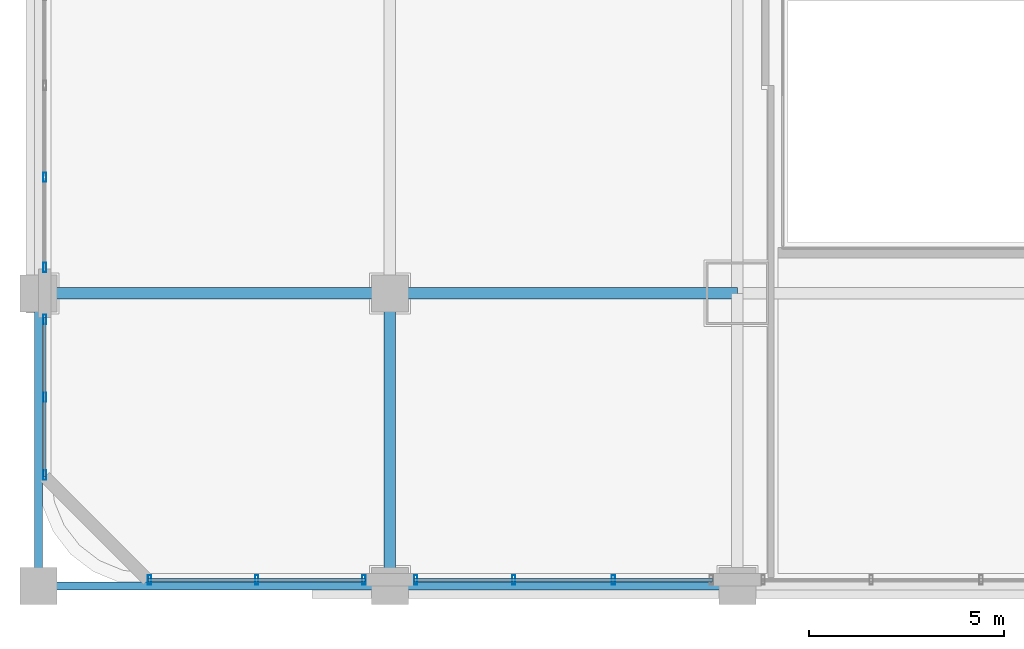
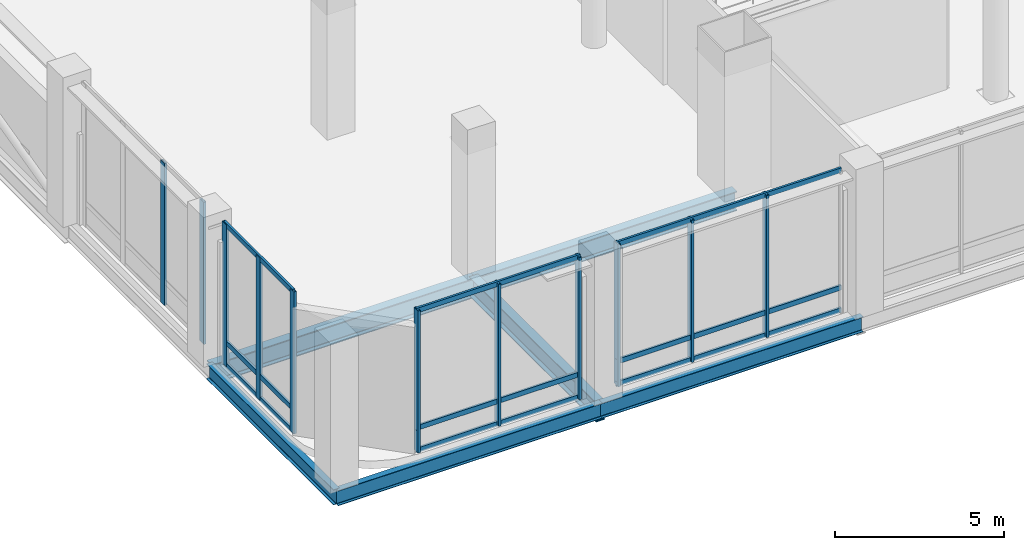
# One storey, part 2 of 39: 20 members, 6 beams, 4 elements without a shape of their own.
"""IFC4 building model written with IfcOpenShell, lengths in metres."""

from ifc_helpers import new_model, si_unit, direction, frame, origin, origin_2d, place, context, subcontext, project, spatial, hollow_rectangle, i_section, extrude, material, material_profile, profile_set, type_object, element, aggregate, save


model = new_model("IFC4")

# Units and contexts
model_context = context("Model", 3, precision=1e-05, world=origin(), true_north=direction((0.0, 1.0)))
body_context = subcontext(model_context, "Body", "Model", "MODEL_VIEW")
ifc_project = project(units=[si_unit("LENGTHUNIT", "METRE"), si_unit("AREAUNIT", "SQUARE_METRE"), si_unit("VOLUMEUNIT", "CUBIC_METRE"), si_unit("PLANEANGLEUNIT", "RADIAN"), si_unit("MASSUNIT", "GRAM", prefix="KILO")], contexts=[model_context])

# Site, building, storey
site_placement = place(None, origin())
site = spatial("IfcSite", under=ifc_project, at=site_placement, CompositionType="ELEMENT")
building_placement = place(site_placement, origin())
building = spatial("IfcBuilding", under=site, at=building_placement, Name="Punatoya Terracotta Tower", CompositionType="ELEMENT")
storey_placement = place(building_placement, frame((0.0, 0.0, 11.39990234375)))
storey = spatial("IfcBuildingStorey", under=building, at=storey_placement, Name="L02", CompositionType="ELEMENT", Elevation=11.39990234375)

# Beams
ifc_material_1 = material(Name="Steel S355", Category="steel")
ifc_material_profile_1 = material_profile(ifc_material_1, i_section(OverallWidth=0.300048828125, OverallDepth=0.699951171875, WebThickness=0.01708984375, FlangeThickness=0.031982421875, FilletRadius=0.01806640625, at=origin_2d()))
ifc_profile_set_1 = profile_set([ifc_material_profile_1], Name="Steel S355")
beam_type_1 = type_object("IfcBeamType", Name="BM-PRI-700", PredefinedType="BEAM", material=ifc_profile_set_1)
beam_1_placement = place(storey_placement, frame((-37.0, -17.5, -0.6298828125), z_axis=(1.0, 0.0, 0.0), x_axis=(0.0, 1.0, 0.0)))
element("IfcBeam", 1, at=beam_1_placement, inside=storey, type_object=beam_type_1, Name="BM-L02-BW1", PredefinedType="BEAM", context=body_context, shape_type="SweptSolid", body=[
    extrude(i_section(OverallWidth=0.300048828125, OverallDepth=0.699951171875, WebThickness=0.01708984375, FlangeThickness=0.031982421875, FilletRadius=0.01806640625, at=origin_2d()), origin(), (0.0, 0.0, 1.0), 9.0),
])
beam_2_placement = place(storey_placement, frame((-28.0, -17.5, -0.6298828125), z_axis=(1.0, 0.0, 0.0), x_axis=(0.0, 1.0, 0.0)))
element("IfcBeam", 2, at=beam_2_placement, inside=storey, type_object=beam_type_1, Name="BM-L02-BW2", PredefinedType="BEAM", context=body_context, shape_type="SweptSolid", body=[
    extrude(i_section(OverallWidth=0.300048828125, OverallDepth=0.699951171875, WebThickness=0.01708984375, FlangeThickness=0.031982421875, FilletRadius=0.01806640625, at=origin_2d()), origin(), (0.0, 0.0, 1.0), 8.89990234375),
])
beam_3_placement = place(storey_placement, frame((-28.0, -25.0, -0.6298828125), z_axis=(0.0, 1.0, 0.0), x_axis=(-1.0, 0.0, 0.0)))
element("IfcBeam", 3, at=beam_3_placement, inside=storey, type_object=beam_type_1, Name="BM-L02-X28W--25", PredefinedType="BEAM", context=body_context, shape_type="SweptSolid", body=[
    extrude(i_section(OverallWidth=0.300048828125, OverallDepth=0.699951171875, WebThickness=0.01708984375, FlangeThickness=0.031982421875, FilletRadius=0.01806640625, at=origin_2d()), origin(), (0.0, 0.0, 1.0), 7.5),
])
ifc_material_profile_2 = material_profile(ifc_material_1, i_section(OverallWidth=0.2099609375, OverallDepth=0.550048828125, WebThickness=0.010986328125, FlangeThickness=0.01708984375, FilletRadius=0.01806640625, at=origin_2d()))
ifc_profile_set_2 = profile_set([ifc_material_profile_2], Name="Steel S355")
beam_type_2 = type_object("IfcBeamType", Name="BM-SPN-550", PredefinedType="SPANDREL", material=ifc_profile_set_2)
beam_4_placement = place(storey_placement, frame((-37.0, -25.0, -0.554931640625), z_axis=(1.0, 0.0, 0.0), x_axis=(0.0, 1.0, 0.0)))
element("IfcBeam", 4, at=beam_4_placement, inside=storey, type_object=beam_type_2, Name="BM-L02-AW1", PredefinedType="SPANDREL", context=body_context, shape_type="SweptSolid", body=[
    extrude(i_section(OverallWidth=0.2099609375, OverallDepth=0.550048828125, WebThickness=0.010986328125, FlangeThickness=0.01708984375, FilletRadius=0.01806640625, at=origin_2d()), origin(), (0.0, 0.0, 1.0), 9.0),
])
beam_5_placement = place(storey_placement, frame((-28.0, -25.0, -0.554931640625), z_axis=(1.0, 0.0, 0.0), x_axis=(0.0, 1.0, 0.0)))
element("IfcBeam", 5, at=beam_5_placement, inside=storey, type_object=beam_type_2, Name="BM-L02-AW2", PredefinedType="SPANDREL", context=body_context, shape_type="SweptSolid", body=[
    extrude(i_section(OverallWidth=0.2099609375, OverallDepth=0.550048828125, WebThickness=0.010986328125, FlangeThickness=0.01708984375, FilletRadius=0.01806640625, at=origin_2d()), origin(), (0.0, 0.0, 1.0), 8.89990234375),
])
beam_6_placement = place(storey_placement, frame((-37.0, -25.0, -0.554931640625), z_axis=(0.0, 1.0, 0.0), x_axis=(-1.0, 0.0, 0.0)))
element("IfcBeam", 6, at=beam_6_placement, inside=storey, type_object=beam_type_2, Name="BM-L02-X37W--25", PredefinedType="SPANDREL", context=body_context, shape_type="SweptSolid", body=[
    extrude(i_section(OverallWidth=0.2099609375, OverallDepth=0.550048828125, WebThickness=0.010986328125, FlangeThickness=0.01708984375, FilletRadius=0.01806640625, at=origin_2d()), origin(), (0.0, 0.0, 1.0), 7.5),
])

# Curtain wall, members
ifc_material_2 = material(Name="Aluminium 6063-T6 + Double Low-E Glass", Category="aluminium")
curtain_wall_type = type_object("IfcCurtainWallType", Name="CW-POD", PredefinedType="NOTDEFINED", material=ifc_material_2)
curtain_wall_1_placement = place(storey_placement, origin())
curtain_wall_1 = element("IfcCurtainWall", 7, at=curtain_wall_1_placement, inside=storey, type_object=curtain_wall_type, Name="L02 Curtain Wall CWP-L02-S1", PredefinedType="NOTDEFINED")
ifc_material_3 = material(Name="Aluminium 6063-T6", Category="aluminium")
ifc_material_profile_3 = material_profile(ifc_material_3, hollow_rectangle(XDim=0.0849609375, YDim=0.239990234375, WallThickness=0.0048828125, at=origin_2d()))
ifc_profile_set_3 = profile_set([ifc_material_profile_3], Name="Aluminium 6063-T6")
member_type_1 = type_object("IfcMemberType", Name="CW-MUL-POD", PredefinedType="MULLION", material=ifc_profile_set_3)
member_1_placement = place(storey_placement, frame((-34.155029296875, -24.840087890625, 0.0), z_axis=(0.0, 0.0, 1.0), x_axis=(1.0, 0.0, 0.0)))
member_1 = element("IfcMember", 8, at=member_1_placement, type_object=member_type_1, Name="CWP-L02-S1 Mullion 00", PredefinedType="MULLION", context=body_context, shape_type="SweptSolid", body=[
    extrude(hollow_rectangle(XDim=0.0849609375, YDim=0.239990234375, WallThickness=0.0048828125, at=origin_2d()), origin(), (0.0, 0.0, 1.0), 5.1201171875),
])
member_2_placement = place(storey_placement, frame((-31.409912109375, -24.840087890625, 0.0), z_axis=(0.0, 0.0, 1.0), x_axis=(1.0, 0.0, 0.0)))
member_2 = element("IfcMember", 9, at=member_2_placement, type_object=member_type_1, Name="CWP-L02-S1 Mullion 01", PredefinedType="MULLION", context=body_context, shape_type="SweptSolid", body=[
    extrude(hollow_rectangle(XDim=0.0849609375, YDim=0.239990234375, WallThickness=0.0048828125, at=origin_2d()), origin(), (0.0, 0.0, 1.0), 5.1201171875),
])
member_3_placement = place(storey_placement, frame((-28.6650390625, -24.840087890625, 0.0), z_axis=(0.0, 0.0, 1.0), x_axis=(1.0, 0.0, 0.0)))
member_3 = element("IfcMember", 10, at=member_3_placement, type_object=member_type_1, Name="CWP-L02-S1 Mullion 02", PredefinedType="MULLION", context=body_context, shape_type="SweptSolid", body=[
    extrude(hollow_rectangle(XDim=0.0849609375, YDim=0.239990234375, WallThickness=0.0048828125, at=origin_2d()), origin(), (0.0, 0.0, 1.0), 5.1201171875),
])

curtain_wall_2_placement = place(storey_placement, origin())
curtain_wall_2 = element("IfcCurtainWall", 11, at=curtain_wall_2_placement, inside=storey, type_object=curtain_wall_type, Name="L02 Curtain Wall CWP-L02-S2", PredefinedType="NOTDEFINED")
member_4_placement = place(storey_placement, frame((-27.3349609375, -24.840087890625, 0.0), z_axis=(0.0, 0.0, 1.0), x_axis=(1.0, 0.0, 0.0)))
member_4 = element("IfcMember", 12, at=member_4_placement, type_object=member_type_1, Name="CWP-L02-S2 Mullion 00", PredefinedType="MULLION", context=body_context, shape_type="SweptSolid", body=[
    extrude(hollow_rectangle(XDim=0.0849609375, YDim=0.239990234375, WallThickness=0.0048828125, at=origin_2d()), origin(), (0.0, 0.0, 1.0), 5.1201171875),
])
member_5_placement = place(storey_placement, frame((-24.82666015625, -24.840087890625, 0.0), z_axis=(0.0, 0.0, 1.0), x_axis=(1.0, 0.0, 0.0)))
member_5 = element("IfcMember", 13, at=member_5_placement, type_object=member_type_1, Name="CWP-L02-S2 Mullion 01", PredefinedType="MULLION", context=body_context, shape_type="SweptSolid", body=[
    extrude(hollow_rectangle(XDim=0.0849609375, YDim=0.239990234375, WallThickness=0.0048828125, at=origin_2d()), origin(), (0.0, 0.0, 1.0), 5.1201171875),
])
member_6_placement = place(storey_placement, frame((-22.273193359375, -24.840087890625, 0.0), z_axis=(0.0, 0.0, 1.0), x_axis=(1.0, 0.0, 0.0)))
member_6 = element("IfcMember", 14, at=member_6_placement, type_object=member_type_1, Name="CWP-L02-S2 Mullion 02", PredefinedType="MULLION", context=body_context, shape_type="SweptSolid", body=[
    extrude(hollow_rectangle(XDim=0.0849609375, YDim=0.239990234375, WallThickness=0.0048828125, at=origin_2d()), origin(), (0.0, 0.0, 1.0), 5.1201171875),
])

curtain_wall_3_placement = place(storey_placement, origin())
curtain_wall_3 = element("IfcCurtainWall", 15, at=curtain_wall_3_placement, inside=storey, type_object=curtain_wall_type, Name="L02 Curtain Wall CWP-L02-W1", PredefinedType="NOTDEFINED")
member_7_placement = place(storey_placement, frame((-36.840087890625, -22.155029296875, 0.0), z_axis=(0.0, 0.0, 1.0), x_axis=(1.0, 0.0, 0.0)))
member_7 = element("IfcMember", 16, at=member_7_placement, type_object=member_type_1, Name="CWP-L02-W1 Mullion 00", PredefinedType="MULLION", context=body_context, shape_type="SweptSolid", body=[
    extrude(hollow_rectangle(XDim=0.0849609375, YDim=0.239990234375, WallThickness=0.0048828125, at=origin_2d()), origin(), (0.0, 0.0, 1.0), 5.1201171875),
])
member_8_placement = place(storey_placement, frame((-36.840087890625, -20.159912109375, 0.0), z_axis=(0.0, 0.0, 1.0), x_axis=(1.0, 0.0, 0.0)))
member_8 = element("IfcMember", 17, at=member_8_placement, type_object=member_type_1, Name="CWP-L02-W1 Mullion 01", PredefinedType="MULLION", context=body_context, shape_type="SweptSolid", body=[
    extrude(hollow_rectangle(XDim=0.0849609375, YDim=0.239990234375, WallThickness=0.0048828125, at=origin_2d()), origin(), (0.0, 0.0, 1.0), 5.1201171875),
])
member_9_placement = place(storey_placement, frame((-36.840087890625, -18.1650390625, 0.0), z_axis=(0.0, 0.0, 1.0), x_axis=(1.0, 0.0, 0.0)))
member_9 = element("IfcMember", 18, at=member_9_placement, type_object=member_type_1, Name="CWP-L02-W1 Mullion 02", PredefinedType="MULLION", context=body_context, shape_type="SweptSolid", body=[
    extrude(hollow_rectangle(XDim=0.0849609375, YDim=0.239990234375, WallThickness=0.0048828125, at=origin_2d()), origin(), (0.0, 0.0, 1.0), 5.1201171875),
])

curtain_wall_4_placement = place(storey_placement, origin())
curtain_wall_4 = element("IfcCurtainWall", 19, at=curtain_wall_4_placement, inside=storey, type_object=curtain_wall_type, Name="L02 Curtain Wall CWP-L02-W2", PredefinedType="NOTDEFINED")
member_10_placement = place(storey_placement, frame((-36.840087890625, -16.8349609375, 0.0), z_axis=(0.0, 0.0, 1.0), x_axis=(1.0, 0.0, 0.0)))
member_10 = element("IfcMember", 20, at=member_10_placement, type_object=member_type_1, Name="CWP-L02-W2 Mullion 00", PredefinedType="MULLION", context=body_context, shape_type="SweptSolid", body=[
    extrude(hollow_rectangle(XDim=0.0849609375, YDim=0.239990234375, WallThickness=0.0048828125, at=origin_2d()), origin(), (0.0, 0.0, 1.0), 5.1201171875),
])
member_11_placement = place(storey_placement, frame((-36.840087890625, -14.526611328125, 0.0), z_axis=(0.0, 0.0, 1.0), x_axis=(1.0, 0.0, 0.0)))
member_11 = element("IfcMember", 21, at=member_11_placement, type_object=member_type_1, Name="CWP-L02-W2 Mullion 01", PredefinedType="MULLION", context=body_context, shape_type="SweptSolid", body=[
    extrude(hollow_rectangle(XDim=0.0849609375, YDim=0.239990234375, WallThickness=0.0048828125, at=origin_2d()), origin(), (0.0, 0.0, 1.0), 5.1201171875),
])
aggregate(curtain_wall_4, [member_10, member_11])

# Member
ifc_material_profile_4 = material_profile(ifc_material_3, hollow_rectangle(XDim=0.074951171875, YDim=0.175048828125, WallThickness=0.00439453125, at=origin_2d()))
ifc_profile_set_4 = profile_set([ifc_material_profile_4], Name="Aluminium 6063-T6")
member_type_2 = type_object("IfcMemberType", Name="CW-TRN-POD", PredefinedType="USERDEFINED", material=ifc_profile_set_4)
member_12_placement = place(storey_placement, frame((-34.199951171875, -24.840087890625, 0.0400390625), z_axis=(1.0, 0.0, 0.0), x_axis=(0.0, 1.0, 0.0)))
member_12 = element("IfcMember", 22, at=member_12_placement, type_object=member_type_2, Name="CWP-L02-S1 Transom 1", ObjectType="TRANSOM", PredefinedType="USERDEFINED", context=body_context, shape_type="SweptSolid", body=[
    extrude(hollow_rectangle(XDim=0.074951171875, YDim=0.175048828125, WallThickness=0.00439453125, at=origin_2d()), origin(), (0.0, 0.0, 1.0), 5.579833984375),
])

member_13_placement = place(storey_placement, frame((-34.199951171875, -24.840087890625, 0.85009765625), z_axis=(1.0, 0.0, 0.0), x_axis=(0.0, 1.0, 0.0)))
member_13 = element("IfcMember", 23, at=member_13_placement, type_object=member_type_2, Name="CWP-L02-S1 Transom 2", ObjectType="TRANSOM", PredefinedType="USERDEFINED", context=body_context, shape_type="SweptSolid", body=[
    extrude(hollow_rectangle(XDim=0.074951171875, YDim=0.175048828125, WallThickness=0.00439453125, at=origin_2d()), origin(), (0.0, 0.0, 1.0), 5.579833984375),
])

member_14_placement = place(storey_placement, frame((-34.199951171875, -24.840087890625, 5.080078125), z_axis=(1.0, 0.0, 0.0), x_axis=(0.0, 1.0, 0.0)))
member_14 = element("IfcMember", 24, at=member_14_placement, type_object=member_type_2, Name="CWP-L02-S1 Transom 3", ObjectType="TRANSOM", PredefinedType="USERDEFINED", context=body_context, shape_type="SweptSolid", body=[
    extrude(hollow_rectangle(XDim=0.074951171875, YDim=0.175048828125, WallThickness=0.00439453125, at=origin_2d()), origin(), (0.0, 0.0, 1.0), 5.579833984375),
])

aggregate(curtain_wall_1, [member_1, member_2, member_3, member_12, member_13, member_14])

member_15_placement = place(storey_placement, frame((-27.3798828125, -24.840087890625, 0.0400390625), z_axis=(1.0, 0.0, 0.0), x_axis=(0.0, 1.0, 0.0)))
member_15 = element("IfcMember", 25, at=member_15_placement, type_object=member_type_2, Name="CWP-L02-S2 Transom 1", ObjectType="TRANSOM", PredefinedType="USERDEFINED", context=body_context, shape_type="SweptSolid", body=[
    extrude(hollow_rectangle(XDim=0.074951171875, YDim=0.175048828125, WallThickness=0.00439453125, at=origin_2d()), origin(), (0.0, 0.0, 1.0), 7.659912109375),
])

member_16_placement = place(storey_placement, frame((-27.3798828125, -24.840087890625, 0.85009765625), z_axis=(1.0, 0.0, 0.0), x_axis=(0.0, 1.0, 0.0)))
member_16 = element("IfcMember", 26, at=member_16_placement, type_object=member_type_2, Name="CWP-L02-S2 Transom 2", ObjectType="TRANSOM", PredefinedType="USERDEFINED", context=body_context, shape_type="SweptSolid", body=[
    extrude(hollow_rectangle(XDim=0.074951171875, YDim=0.175048828125, WallThickness=0.00439453125, at=origin_2d()), origin(), (0.0, 0.0, 1.0), 7.659912109375),
])

member_17_placement = place(storey_placement, frame((-27.3798828125, -24.840087890625, 5.080078125), z_axis=(1.0, 0.0, 0.0), x_axis=(0.0, 1.0, 0.0)))
member_17 = element("IfcMember", 27, at=member_17_placement, type_object=member_type_2, Name="CWP-L02-S2 Transom 3", ObjectType="TRANSOM", PredefinedType="USERDEFINED", context=body_context, shape_type="SweptSolid", body=[
    extrude(hollow_rectangle(XDim=0.074951171875, YDim=0.175048828125, WallThickness=0.00439453125, at=origin_2d()), origin(), (0.0, 0.0, 1.0), 7.659912109375),
])

aggregate(curtain_wall_2, [member_4, member_5, member_6, member_15, member_16, member_17])

member_18_placement = place(storey_placement, frame((-36.840087890625, -22.199951171875, 0.0400390625), z_axis=(0.0, 1.0, 0.0), x_axis=(-1.0, 0.0, 0.0)))
member_18 = element("IfcMember", 28, at=member_18_placement, type_object=member_type_2, Name="CWP-L02-W1 Transom 1", ObjectType="TRANSOM", PredefinedType="USERDEFINED", context=body_context, shape_type="SweptSolid", body=[
    extrude(hollow_rectangle(XDim=0.074951171875, YDim=0.175048828125, WallThickness=0.00439453125, at=origin_2d()), origin(), (0.0, 0.0, 1.0), 4.079833984375),
])

member_19_placement = place(storey_placement, frame((-36.840087890625, -22.199951171875, 0.85009765625), z_axis=(0.0, 1.0, 0.0), x_axis=(-1.0, 0.0, 0.0)))
member_19 = element("IfcMember", 29, at=member_19_placement, type_object=member_type_2, Name="CWP-L02-W1 Transom 2", ObjectType="TRANSOM", PredefinedType="USERDEFINED", context=body_context, shape_type="SweptSolid", body=[
    extrude(hollow_rectangle(XDim=0.074951171875, YDim=0.175048828125, WallThickness=0.00439453125, at=origin_2d()), origin(), (0.0, 0.0, 1.0), 4.079833984375),
])

member_20_placement = place(storey_placement, frame((-36.840087890625, -22.199951171875, 5.080078125), z_axis=(0.0, 1.0, 0.0), x_axis=(-1.0, 0.0, 0.0)))
member_20 = element("IfcMember", 30, at=member_20_placement, type_object=member_type_2, Name="CWP-L02-W1 Transom 3", ObjectType="TRANSOM", PredefinedType="USERDEFINED", context=body_context, shape_type="SweptSolid", body=[
    extrude(hollow_rectangle(XDim=0.074951171875, YDim=0.175048828125, WallThickness=0.00439453125, at=origin_2d()), origin(), (0.0, 0.0, 1.0), 4.079833984375),
])

aggregate(curtain_wall_3, [member_7, member_8, member_9, member_18, member_19, member_20])

save(model, "model.ifc")
